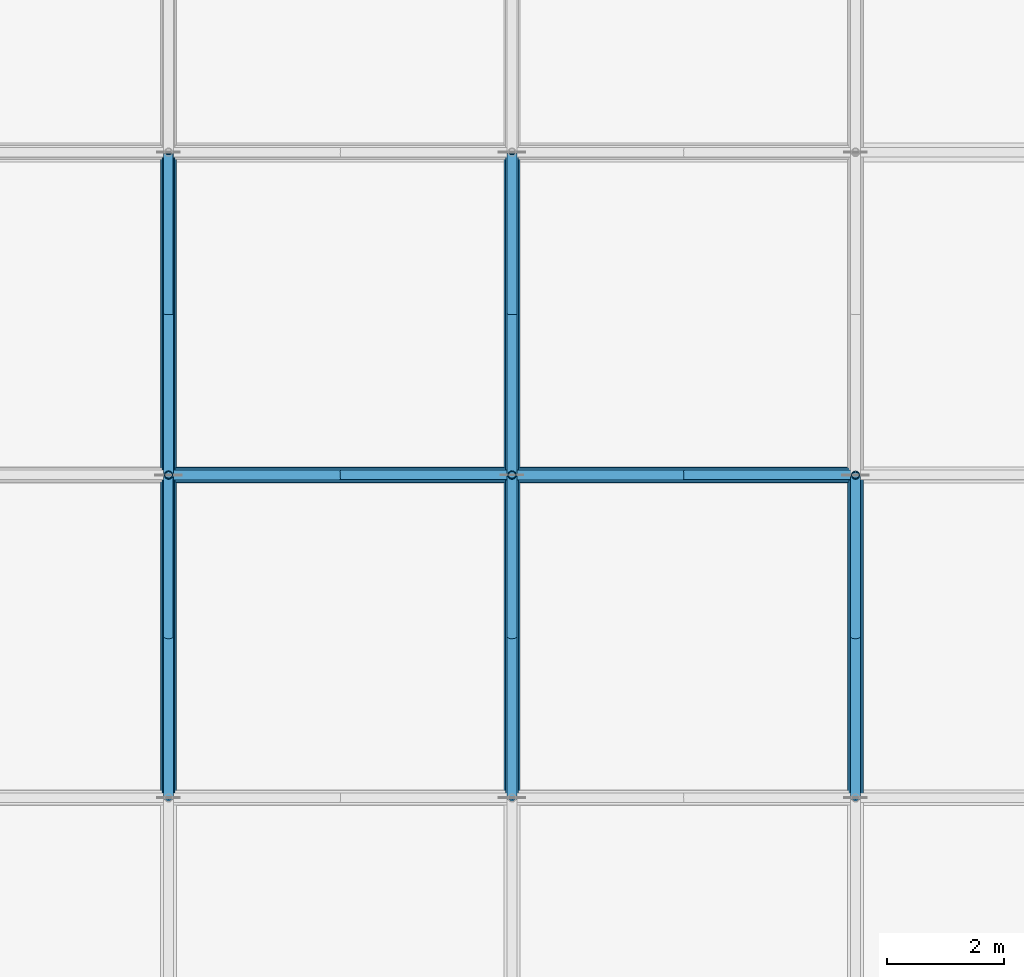
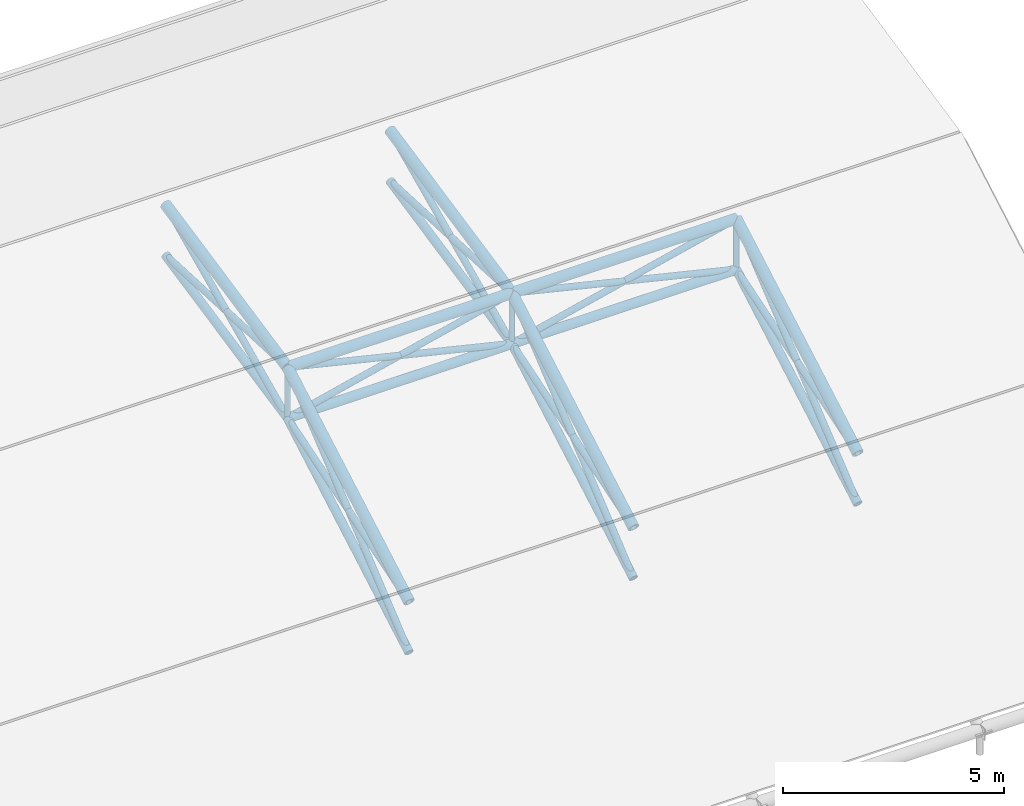
# One storey, part 6 of 82: 31 members.
"""IFC4 building model written with IfcOpenShell, lengths in metres."""

from ifc_helpers import new_model, si_unit, direction, frame, origin, origin_2d, place, context, subcontext, project, spatial, hollow_circle, extrude, material, material_profile, profile_set, type_object, element, save


model = new_model("IFC4")

# Units and contexts
model_context = context("Model", 3, precision=1e-05, world=origin(), true_north=direction((0.0, 1.0)))
body_context = subcontext(model_context, "Body", "Model", "MODEL_VIEW")
ifc_project = project(units=[si_unit("LENGTHUNIT", "METRE"), si_unit("AREAUNIT", "SQUARE_METRE"), si_unit("VOLUMEUNIT", "CUBIC_METRE"), si_unit("PLANEANGLEUNIT", "RADIAN"), si_unit("MASSUNIT", "GRAM", prefix="KILO")], contexts=[model_context])

# Site, building, storey
site_placement = place(None, origin())
site = spatial("IfcSite", under=ifc_project, at=site_placement, CompositionType="ELEMENT")
building_placement = place(site_placement, origin())
building = spatial("IfcBuilding", under=site, at=building_placement, Name="Bramfleet General Hospital", CompositionType="ELEMENT")
storey_placement = place(building_placement, frame((0.0, 0.0, 34.199951171875)))
storey = spatial("IfcBuildingStorey", under=building, at=storey_placement, Name="Roof", CompositionType="ELEMENT", Elevation=34.199951171875)

# Members
ifc_material = material(Name="Steel S355", Category="steel")
ifc_material_profile_1 = material_profile(ifc_material, hollow_circle(Radius=0.122314453125, WallThickness=0.012451171875, at=origin_2d()), Name="CHS 244.5x12.5")
ifc_profile_set_1 = profile_set([ifc_material_profile_1], Name="Steel S355")
member_type_1 = type_object("IfcMemberType", Name="MEM-SF-BC1", PredefinedType="CHORD", material=ifc_profile_set_1)
member_1_placement = place(storey_placement, frame((74.335693359375, 28.283447265625, -13.402099609375), z_axis=(1.0, 0.0, 0.0), x_axis=(0.0, 1.0, 0.0)))
element("IfcMember", 1, at=member_1_placement, inside=storey, type_object=member_type_1, Name="Space Frame Bottom Chord X 4-2", PredefinedType="CHORD", context=body_context, shape_type="SweptSolid", body=[
    extrude(hollow_circle(Radius=0.122314453125, WallThickness=0.012451171875, at=origin_2d()), origin(), (0.0, 0.0, 1.0), 5.871337890625),
])
member_2_placement = place(storey_placement, frame((80.20703125, 28.283447265625, -13.402099609375), z_axis=(1.0, 0.0, 0.0), x_axis=(0.0, 1.0, 0.0)))
element("IfcMember", 2, at=member_2_placement, inside=storey, type_object=member_type_1, Name="Space Frame Bottom Chord X 5-2", PredefinedType="CHORD", context=body_context, shape_type="SweptSolid", body=[
    extrude(hollow_circle(Radius=0.122314453125, WallThickness=0.012451171875, at=origin_2d()), origin(), (0.0, 0.0, 1.0), 5.87158203125),
])
ifc_material_profile_2 = material_profile(ifc_material, hollow_circle(Radius=0.109619140625, WallThickness=0.010009765625, at=origin_2d()), Name="CHS 219.1x10.0")
ifc_profile_set_2 = profile_set([ifc_material_profile_2], Name="Steel S355")
member_type_2 = type_object("IfcMemberType", Name="MEM-SF-BC2", PredefinedType="CHORD", material=ifc_profile_set_2)
member_3_placement = place(storey_placement, frame((74.335693359375, 22.7666015625, -16.550048828125), z_axis=(0.0, 0.868550467682, 0.495600731526), x_axis=(-1.0, 0.0, 0.0)))
element("IfcMember", 3, at=member_3_placement, inside=storey, type_object=member_type_2, Name="Space Frame Bottom Chord Y 4-1", PredefinedType="CHORD", context=body_context, shape_type="SweptSolid", body=[
    extrude(hollow_circle(Radius=0.109619140625, WallThickness=0.010009765625, at=origin_2d()), origin(), (0.0, 0.0, 1.0), 6.351806640625),
])
member_4_placement = place(storey_placement, frame((74.335693359375, 28.283447265625, -13.402099609375), z_axis=(0.0, 0.978880830839, 0.204431697678), x_axis=(-1.0, 0.0, 0.0)))
element("IfcMember", 4, at=member_4_placement, inside=storey, type_object=member_type_2, Name="Space Frame Bottom Chord Y 4-2", PredefinedType="CHORD", context=body_context, shape_type="SweptSolid", body=[
    extrude(hollow_circle(Radius=0.109619140625, WallThickness=0.010009765625, at=origin_2d()), origin(), (0.0, 0.0, 1.0), 5.6357421875),
])
member_5_placement = place(storey_placement, frame((80.20703125, 22.7666015625, -16.550048828125), z_axis=(0.0, 0.868550467682, 0.495600731526), x_axis=(-1.0, 0.0, 0.0)))
element("IfcMember", 5, at=member_5_placement, inside=storey, type_object=member_type_2, Name="Space Frame Bottom Chord Y 5-1", PredefinedType="CHORD", context=body_context, shape_type="SweptSolid", body=[
    extrude(hollow_circle(Radius=0.109619140625, WallThickness=0.010009765625, at=origin_2d()), origin(), (0.0, 0.0, 1.0), 6.351806640625),
])
member_6_placement = place(storey_placement, frame((80.20703125, 28.283447265625, -13.402099609375), z_axis=(0.0, 0.978880830839, 0.204431697678), x_axis=(-1.0, 0.0, 0.0)))
element("IfcMember", 6, at=member_6_placement, inside=storey, type_object=member_type_2, Name="Space Frame Bottom Chord Y 5-2", PredefinedType="CHORD", context=body_context, shape_type="SweptSolid", body=[
    extrude(hollow_circle(Radius=0.109619140625, WallThickness=0.010009765625, at=origin_2d()), origin(), (0.0, 0.0, 1.0), 5.6357421875),
])
member_7_placement = place(storey_placement, frame((86.07861328125, 22.7666015625, -16.550048828125), z_axis=(0.0, 0.868550467682, 0.495600731526), x_axis=(-1.0, 0.0, 0.0)))
element("IfcMember", 7, at=member_7_placement, inside=storey, type_object=member_type_2, Name="Space Frame Bottom Chord Y 6-1", PredefinedType="CHORD", context=body_context, shape_type="SweptSolid", body=[
    extrude(hollow_circle(Radius=0.109619140625, WallThickness=0.010009765625, at=origin_2d()), origin(), (0.0, 0.0, 1.0), 6.351806640625),
])
ifc_material_profile_3 = material_profile(ifc_material, hollow_circle(Radius=0.084228515625, WallThickness=0.008056640625, at=origin_2d()), Name="CHS 168.3x8.0")
ifc_profile_set_3 = profile_set([ifc_material_profile_3], Name="Steel S355")
member_type_3 = type_object("IfcMemberType", Name="MEM-SF-DG1", PredefinedType="STRUT", material=ifc_profile_set_3)
member_8_placement = place(storey_placement, frame((74.335693359375, 22.7666015625, -16.550048828125), z_axis=(0.0, 0.771616694689, 0.636087789913), x_axis=(-1.0, 0.0, 0.0)))
element("IfcMember", 8, at=member_8_placement, inside=storey, type_object=member_type_3, Name="Space Frame Web Strut 4-1-N", PredefinedType="STRUT", context=body_context, shape_type="SweptSolid", body=[
    extrude(hollow_circle(Radius=0.084228515625, WallThickness=0.008056640625, at=origin_2d()), origin(), (0.0, 0.0, 1.0), 7.149658203125),
])
member_9_placement = place(storey_placement, frame((74.335693359375, 28.283447265625, -13.402099609375), z_axis=(0.972732821449, 0.0, 0.231928562443), x_axis=(0.0, 1.0, 0.0)))
element("IfcMember", 9, at=member_9_placement, inside=storey, type_object=member_type_3, Name="Space Frame Web Strut 4-2-E", PredefinedType="STRUT", context=body_context, shape_type="SweptSolid", body=[
    extrude(hollow_circle(Radius=0.084228515625, WallThickness=0.008056640625, at=origin_2d()), origin(), (0.0, 0.0, 1.0), 6.035888671875),
])
member_10_placement = place(storey_placement, frame((74.335693359375, 28.283447265625, -13.402099609375), z_axis=(0.0, -0.953302351755, -0.302017592433), x_axis=(1.0, 0.0, 0.0)))
element("IfcMember", 10, at=member_10_placement, inside=storey, type_object=member_type_3, Name="Space Frame Web Strut 4-2-S", PredefinedType="STRUT", context=body_context, shape_type="SweptSolid", body=[
    extrude(hollow_circle(Radius=0.084228515625, WallThickness=0.008056640625, at=origin_2d()), origin(), (0.0, 0.0, 1.0), 5.787109375),
])
member_11_placement = place(storey_placement, frame((74.335693359375, 28.283447265625, -13.402099609375), z_axis=(0.0, 0.907575768803, 0.419888346923), x_axis=(-1.0, 0.0, 0.0)))
element("IfcMember", 11, at=member_11_placement, inside=storey, type_object=member_type_3, Name="Space Frame Web Strut 4-2-N", PredefinedType="STRUT", context=body_context, shape_type="SweptSolid", body=[
    extrude(hollow_circle(Radius=0.084228515625, WallThickness=0.008056640625, at=origin_2d()), origin(), (0.0, 0.0, 1.0), 6.078369140625),
])
member_12_placement = place(storey_placement, frame((74.335693359375, 33.800048828125, -12.25), z_axis=(0.0, -0.998992645483, 0.044874204955), x_axis=(1.0, 0.0, 0.0)))
element("IfcMember", 12, at=member_12_placement, inside=storey, type_object=member_type_3, Name="Space Frame Web Strut 4-3-S", PredefinedType="STRUT", context=body_context, shape_type="SweptSolid", body=[
    extrude(hollow_circle(Radius=0.084228515625, WallThickness=0.008056640625, at=origin_2d()), origin(), (0.0, 0.0, 1.0), 5.522216796875),
])
member_13_placement = place(storey_placement, frame((80.20703125, 22.7666015625, -16.550048828125), z_axis=(0.0, 0.771616694689, 0.636087789913), x_axis=(-1.0, 0.0, 0.0)))
element("IfcMember", 13, at=member_13_placement, inside=storey, type_object=member_type_3, Name="Space Frame Web Strut 5-1-N", PredefinedType="STRUT", context=body_context, shape_type="SweptSolid", body=[
    extrude(hollow_circle(Radius=0.084228515625, WallThickness=0.008056640625, at=origin_2d()), origin(), (0.0, 0.0, 1.0), 7.149658203125),
])
member_14_placement = place(storey_placement, frame((80.20703125, 28.283447265625, -13.402099609375), z_axis=(-0.972732821449, 0.0, 0.231928562443), x_axis=(0.0, -1.0, 0.0)))
element("IfcMember", 14, at=member_14_placement, inside=storey, type_object=member_type_3, Name="Space Frame Web Strut 5-2-W", PredefinedType="STRUT", context=body_context, shape_type="SweptSolid", body=[
    extrude(hollow_circle(Radius=0.084228515625, WallThickness=0.008056640625, at=origin_2d()), origin(), (0.0, 0.0, 1.0), 6.035888671875),
])
member_15_placement = place(storey_placement, frame((80.20703125, 28.283447265625, -13.402099609375), z_axis=(0.97273499705, 0.0, 0.23191943755), x_axis=(0.0, 1.0, 0.0)))
element("IfcMember", 15, at=member_15_placement, inside=storey, type_object=member_type_3, Name="Space Frame Web Strut 5-2-E", PredefinedType="STRUT", context=body_context, shape_type="SweptSolid", body=[
    extrude(hollow_circle(Radius=0.084228515625, WallThickness=0.008056640625, at=origin_2d()), origin(), (0.0, 0.0, 1.0), 6.0361328125),
])
member_16_placement = place(storey_placement, frame((80.20703125, 28.283447265625, -13.402099609375), z_axis=(0.0, -0.953302351755, -0.302017592433), x_axis=(1.0, 0.0, 0.0)))
element("IfcMember", 16, at=member_16_placement, inside=storey, type_object=member_type_3, Name="Space Frame Web Strut 5-2-S", PredefinedType="STRUT", context=body_context, shape_type="SweptSolid", body=[
    extrude(hollow_circle(Radius=0.084228515625, WallThickness=0.008056640625, at=origin_2d()), origin(), (0.0, 0.0, 1.0), 5.787109375),
])
member_17_placement = place(storey_placement, frame((80.20703125, 28.283447265625, -13.402099609375), z_axis=(0.0, 0.907575768803, 0.419888346923), x_axis=(-1.0, 0.0, 0.0)))
element("IfcMember", 17, at=member_17_placement, inside=storey, type_object=member_type_3, Name="Space Frame Web Strut 5-2-N", PredefinedType="STRUT", context=body_context, shape_type="SweptSolid", body=[
    extrude(hollow_circle(Radius=0.084228515625, WallThickness=0.008056640625, at=origin_2d()), origin(), (0.0, 0.0, 1.0), 6.078369140625),
])
member_18_placement = place(storey_placement, frame((80.20703125, 33.800048828125, -12.25), z_axis=(0.0, -0.998992645483, 0.044874204955), x_axis=(1.0, 0.0, 0.0)))
element("IfcMember", 18, at=member_18_placement, inside=storey, type_object=member_type_3, Name="Space Frame Web Strut 5-3-S", PredefinedType="STRUT", context=body_context, shape_type="SweptSolid", body=[
    extrude(hollow_circle(Radius=0.084228515625, WallThickness=0.008056640625, at=origin_2d()), origin(), (0.0, 0.0, 1.0), 5.522216796875),
])
member_19_placement = place(storey_placement, frame((86.07861328125, 22.7666015625, -16.550048828125), z_axis=(0.0, 0.771616694689, 0.636087789913), x_axis=(-1.0, 0.0, 0.0)))
element("IfcMember", 19, at=member_19_placement, inside=storey, type_object=member_type_3, Name="Space Frame Web Strut 6-1-N", PredefinedType="STRUT", context=body_context, shape_type="SweptSolid", body=[
    extrude(hollow_circle(Radius=0.084228515625, WallThickness=0.008056640625, at=origin_2d()), origin(), (0.0, 0.0, 1.0), 7.149658203125),
])
member_20_placement = place(storey_placement, frame((86.07861328125, 28.283447265625, -13.402099609375), z_axis=(-0.97273499705, 0.0, 0.23191943755), x_axis=(0.0, -1.0, 0.0)))
element("IfcMember", 20, at=member_20_placement, inside=storey, type_object=member_type_3, Name="Space Frame Web Strut 6-2-W", PredefinedType="STRUT", context=body_context, shape_type="SweptSolid", body=[
    extrude(hollow_circle(Radius=0.084228515625, WallThickness=0.008056640625, at=origin_2d()), origin(), (0.0, 0.0, 1.0), 6.0361328125),
])
member_21_placement = place(storey_placement, frame((86.07861328125, 28.283447265625, -13.402099609375), z_axis=(0.0, -0.953302351755, -0.302017592433), x_axis=(1.0, 0.0, 0.0)))
element("IfcMember", 21, at=member_21_placement, inside=storey, type_object=member_type_3, Name="Space Frame Web Strut 6-2-S", PredefinedType="STRUT", context=body_context, shape_type="SweptSolid", body=[
    extrude(hollow_circle(Radius=0.084228515625, WallThickness=0.008056640625, at=origin_2d()), origin(), (0.0, 0.0, 1.0), 5.787109375),
])
ifc_material_profile_4 = material_profile(ifc_material, hollow_circle(Radius=0.06982421875, WallThickness=0.008056640625, at=origin_2d()), Name="CHS 139.7x8.0")
ifc_profile_set_4 = profile_set([ifc_material_profile_4], Name="Steel S355")
member_type_4 = type_object("IfcMemberType", Name="MEM-SF-DG2", PredefinedType="STRUT", material=ifc_profile_set_4)
for number, where, z_axis, x_axis, name in (
    (22, (74.335693359375, 28.283447265625, -13.402099609375), (0.0, 0.0, 1.0), (1.0, 0.0, 0.0), "Space Frame King Strut 4-2"),
    (23, (80.20703125, 28.283447265625, -13.402099609375), (0.0, 0.0, 1.0), (1.0, 0.0, 0.0), "Space Frame King Strut 5-2"),
    (24, (86.07861328125, 28.283447265625, -13.402099609375), (0.0, 0.0, 1.0), (1.0, 0.0, 0.0), "Space Frame King Strut 6-2"),
):
    element("IfcMember", number, at=place(storey_placement, frame(where, z_axis=z_axis, x_axis=x_axis)), inside=storey, type_object=member_type_4, Name=name, PredefinedType="STRUT", context=body_context, shape_type="SweptSolid", body=[
        extrude(hollow_circle(Radius=0.06982421875, WallThickness=0.008056640625, at=origin_2d()), origin(), (0.0, 0.0, 1.0), 1.39990234375),
    ])
ifc_material_profile_5 = material_profile(ifc_material, hollow_circle(Radius=0.136474609375, WallThickness=0.012451171875, at=origin_2d()), Name="CHS 273.0x12.5")
ifc_profile_set_5 = profile_set([ifc_material_profile_5], Name="Steel S355")
member_type_5 = type_object("IfcMemberType", Name="MEM-SF-TC2", PredefinedType="CHORD", material=ifc_profile_set_5)
member_22_placement = place(storey_placement, frame((74.335693359375, 28.283447265625, -12.002197265625), z_axis=(1.0, 0.0, 0.0), x_axis=(0.0, 1.0, 0.0)))
element("IfcMember", 25, at=member_22_placement, inside=storey, type_object=member_type_5, Name="Space Frame Top Chord X 4-2", PredefinedType="CHORD", context=body_context, shape_type="SweptSolid", body=[
    extrude(hollow_circle(Radius=0.136474609375, WallThickness=0.012451171875, at=origin_2d()), origin(), (0.0, 0.0, 1.0), 5.871337890625),
])
member_23_placement = place(storey_placement, frame((80.20703125, 28.283447265625, -12.002197265625), z_axis=(1.0, 0.0, 0.0), x_axis=(0.0, 1.0, 0.0)))
element("IfcMember", 26, at=member_23_placement, inside=storey, type_object=member_type_5, Name="Space Frame Top Chord X 5-2", PredefinedType="CHORD", context=body_context, shape_type="SweptSolid", body=[
    extrude(hollow_circle(Radius=0.136474609375, WallThickness=0.012451171875, at=origin_2d()), origin(), (0.0, 0.0, 1.0), 5.87158203125),
])
member_24_placement = place(storey_placement, frame((74.335693359375, 22.7666015625, -15.14990234375), z_axis=(0.0, 0.868567012685, 0.495571734945), x_axis=(-1.0, 0.0, 0.0)))
element("IfcMember", 27, at=member_24_placement, inside=storey, type_object=member_type_5, Name="Space Frame Top Chord Y 4-1", PredefinedType="CHORD", context=body_context, shape_type="SweptSolid", body=[
    extrude(hollow_circle(Radius=0.136474609375, WallThickness=0.012451171875, at=origin_2d()), origin(), (0.0, 0.0, 1.0), 6.3515625),
])
member_25_placement = place(storey_placement, frame((74.335693359375, 28.283447265625, -12.002197265625), z_axis=(0.0, 0.97887216089, 0.204473207621), x_axis=(-1.0, 0.0, 0.0)))
element("IfcMember", 28, at=member_25_placement, inside=storey, type_object=member_type_5, Name="Space Frame Top Chord Y 4-2", PredefinedType="CHORD", context=body_context, shape_type="SweptSolid", body=[
    extrude(hollow_circle(Radius=0.136474609375, WallThickness=0.012451171875, at=origin_2d()), origin(), (0.0, 0.0, 1.0), 5.6357421875),
])
member_26_placement = place(storey_placement, frame((80.20703125, 22.7666015625, -15.14990234375), z_axis=(0.0, 0.868567012685, 0.495571734945), x_axis=(-1.0, 0.0, 0.0)))
element("IfcMember", 29, at=member_26_placement, inside=storey, type_object=member_type_5, Name="Space Frame Top Chord Y 5-1", PredefinedType="CHORD", context=body_context, shape_type="SweptSolid", body=[
    extrude(hollow_circle(Radius=0.136474609375, WallThickness=0.012451171875, at=origin_2d()), origin(), (0.0, 0.0, 1.0), 6.3515625),
])
member_27_placement = place(storey_placement, frame((80.20703125, 28.283447265625, -12.002197265625), z_axis=(0.0, 0.97887216089, 0.204473207621), x_axis=(-1.0, 0.0, 0.0)))
element("IfcMember", 30, at=member_27_placement, inside=storey, type_object=member_type_5, Name="Space Frame Top Chord Y 5-2", PredefinedType="CHORD", context=body_context, shape_type="SweptSolid", body=[
    extrude(hollow_circle(Radius=0.136474609375, WallThickness=0.012451171875, at=origin_2d()), origin(), (0.0, 0.0, 1.0), 5.6357421875),
])
member_28_placement = place(storey_placement, frame((86.07861328125, 22.7666015625, -15.14990234375), z_axis=(0.0, 0.868567012685, 0.495571734945), x_axis=(-1.0, 0.0, 0.0)))
element("IfcMember", 31, at=member_28_placement, inside=storey, type_object=member_type_5, Name="Space Frame Top Chord Y 6-1", PredefinedType="CHORD", context=body_context, shape_type="SweptSolid", body=[
    extrude(hollow_circle(Radius=0.136474609375, WallThickness=0.012451171875, at=origin_2d()), origin(), (0.0, 0.0, 1.0), 6.3515625),
])

save(model, "model.ifc")
